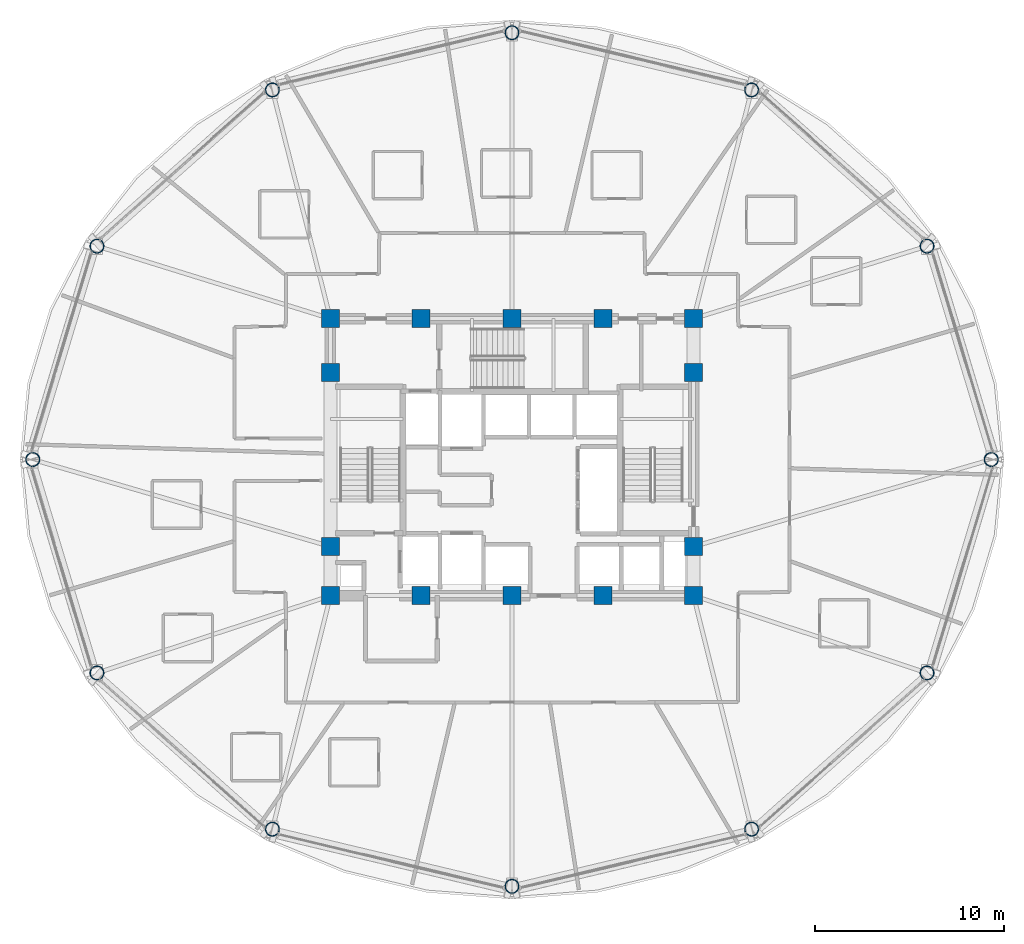
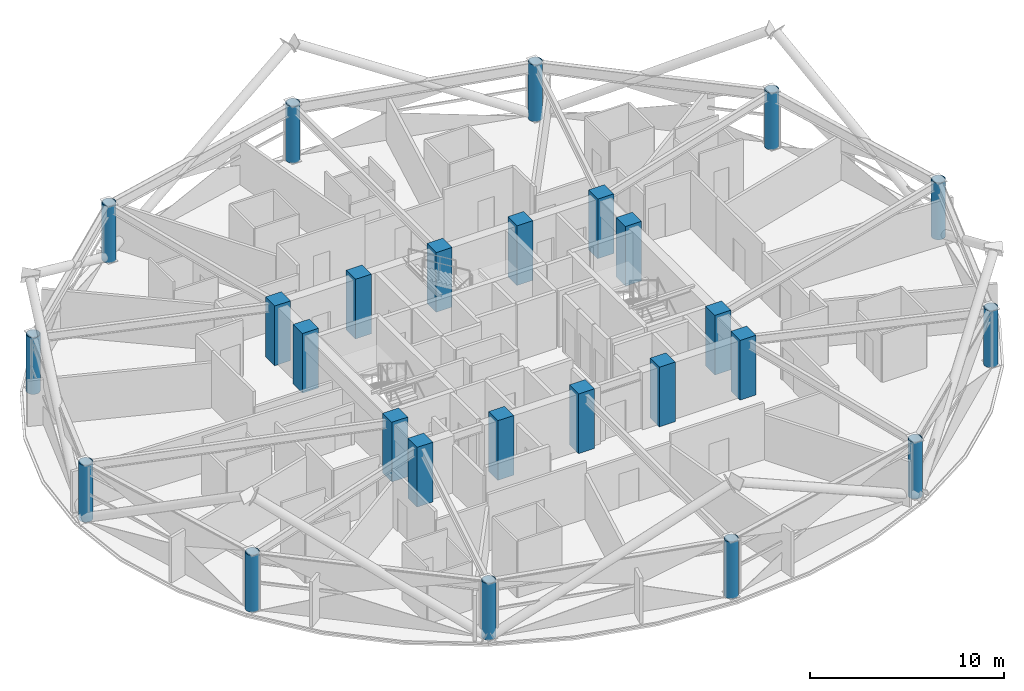
# One storey, part 1 of 30: 26 columns.
"""IFC4 building model written with IfcOpenShell, lengths in metres."""

from ifc_helpers import new_model, si_unit, direction, frame, origin, origin_2d, place, context, subcontext, project, spatial, rectangle, hollow_circle, extrude, material, material_profile, profile_set, type_object, element, save


model = new_model("IFC4")

# Units and contexts
model_context = context("Model", 3, precision=1e-05, world=origin(), true_north=direction((0.0, 1.0)))
body_context = subcontext(model_context, "Body", "Model", "MODEL_VIEW")
ifc_project = project(units=[si_unit("LENGTHUNIT", "METRE"), si_unit("AREAUNIT", "SQUARE_METRE"), si_unit("VOLUMEUNIT", "CUBIC_METRE"), si_unit("PLANEANGLEUNIT", "RADIAN"), si_unit("MASSUNIT", "GRAM", prefix="KILO")], contexts=[model_context])

# Site, building, storey
site_placement = place(None, origin())
site = spatial("IfcSite", under=ifc_project, at=site_placement, CompositionType="ELEMENT")
building_placement = place(site_placement, origin())
building = spatial("IfcBuilding", under=site, at=building_placement, Name="Vantalir Tower", CompositionType="ELEMENT")
storey_placement = place(building_placement, frame((0.0, 0.0, 119.699951171875)))
storey = spatial("IfcBuildingStorey", under=building, at=storey_placement, Name="L29", CompositionType="ELEMENT", Elevation=119.699951171875)

# Columns
ifc_material_1 = material(Name="Concrete C60/75", Category="concrete")
ifc_material_profile_1 = material_profile(ifc_material_1, rectangle(XDim=0.949951171875, YDim=0.949951171875, at=origin_2d()), Name="Concrete C60/75")
ifc_profile_set_1 = profile_set([ifc_material_profile_1], Name="Concrete C60/75")
column_type_1 = type_object("IfcColumnType", Name="COL-CC-950", PredefinedType="COLUMN", material=ifc_profile_set_1)
for number, where, z_axis, x_axis, name in (
    (1, (21.89990234375, 17.800048828125, 0.0), (0.0, 0.0, 1.0), (1.0, 0.0, 0.0), "L29 Core Column CC01"),
    (2, (26.699951171875, 17.800048828125, 0.0), (0.0, 0.0, 1.0), (1.0, 0.0, 0.0), "L29 Core Column CC02"),
    (3, (31.5, 17.800048828125, 0.0), (0.0, 0.0, 1.0), (1.0, 0.0, 0.0), "L29 Core Column CC03"),
    (4, (36.300048828125, 17.800048828125, 0.0), (0.0, 0.0, 1.0), (1.0, 0.0, 0.0), "L29 Core Column CC04"),
    (5, (41.10009765625, 17.800048828125, 0.0), (0.0, 0.0, 1.0), (1.0, 0.0, 0.0), "L29 Core Column CC05"),
    (6, (21.89990234375, 20.39990234375, 0.0), (0.0, 0.0, 1.0), (1.0, 0.0, 0.0), "L29 Core Column CC06"),
    (7, (21.89990234375, 29.60009765625, 0.0), (0.0, 0.0, 1.0), (1.0, 0.0, 0.0), "L29 Core Column CC07"),
    (8, (41.10009765625, 20.39990234375, 0.0), (0.0, 0.0, 1.0), (1.0, 0.0, 0.0), "L29 Core Column CC08"),
    (9, (41.10009765625, 29.60009765625, 0.0), (0.0, 0.0, 1.0), (1.0, 0.0, 0.0), "L29 Core Column CC09"),
    (10, (21.89990234375, 32.449951171875, 0.0), (0.0, 0.0, 1.0), (1.0, 0.0, 0.0), "L29 Core Column CC10"),
    (11, (26.699951171875, 32.449951171875, 0.0), (0.0, 0.0, 1.0), (1.0, 0.0, 0.0), "L29 Core Column CC11"),
    (12, (31.5, 32.449951171875, 0.0), (0.0, 0.0, 1.0), (1.0, 0.0, 0.0), "L29 Core Column CC12"),
    (13, (36.300048828125, 32.449951171875, 0.0), (0.0, 0.0, 1.0), (1.0, 0.0, 0.0), "L29 Core Column CC13"),
    (14, (41.10009765625, 32.449951171875, 0.0), (0.0, 0.0, 1.0), (1.0, 0.0, 0.0), "L29 Core Column CC14"),
):
    element("IfcColumn", number, at=place(storey_placement, frame(where, z_axis=z_axis, x_axis=x_axis)), inside=storey, type_object=column_type_1, Name=name, PredefinedType="COLUMN", context=body_context, shape_type="SweptSolid", body=[
        extrude(rectangle(XDim=0.949951171875, YDim=0.949951171875, at=origin_2d()), origin(), (0.0, 0.0, 1.0), 3.75),
    ])
ifc_material_2 = material(Name="Steel S460", Category="steel")
ifc_material_profile_2 = material_profile(ifc_material_2, hollow_circle(Radius=0.375, WallThickness=0.034912109375, at=origin_2d()), Name="Steel S460")
ifc_profile_set_2 = profile_set([ifc_material_profile_2], Name="Steel S460")
column_type_2 = type_object("IfcColumnType", Name="COL-RC-750", PredefinedType="COLUMN", material=ifc_profile_set_2)
for number, where, z_axis, x_axis, name in (
    (15, (56.840087890625, 25.0, 0.0), (0.0, 0.0, 1.0), (1.0, 0.0, 0.0), "L29 Perimeter Ring Column RC01"),
    (16, (53.445068359375, 36.282958984375, 0.0), (0.0, 0.0, 1.0), (1.0, 0.0, 0.0), "L29 Perimeter Ring Column RC02"),
    (17, (44.169921875, 44.54296875, 0.0), (0.0, 0.0, 1.0), (1.0, 0.0, 0.0), "L29 Perimeter Ring Column RC03"),
    (18, (31.5, 47.56591796875, 0.0), (0.0, 0.0, 1.0), (1.0, 0.0, 0.0), "L29 Perimeter Ring Column RC04"),
    (19, (18.830078125, 44.54296875, 0.0), (0.0, 0.0, 1.0), (1.0, 0.0, 0.0), "L29 Perimeter Ring Column RC05"),
    (20, (9.554931640625, 36.282958984375, 0.0), (0.0, 0.0, 1.0), (1.0, 0.0, 0.0), "L29 Perimeter Ring Column RC06"),
    (21, (6.159912109375, 25.0, 0.0), (0.0, 0.0, 1.0), (1.0, 0.0, 0.0), "L29 Perimeter Ring Column RC07"),
    (22, (9.554931640625, 13.717041015625, 0.0), (0.0, 0.0, 1.0), (1.0, 0.0, 0.0), "L29 Perimeter Ring Column RC08"),
    (23, (18.830078125, 5.45703125, 0.0), (0.0, 0.0, 1.0), (1.0, 0.0, 0.0), "L29 Perimeter Ring Column RC09"),
    (24, (31.5, 2.43408203125, 0.0), (0.0, 0.0, 1.0), (1.0, 0.0, 0.0), "L29 Perimeter Ring Column RC10"),
    (25, (44.169921875, 5.45703125, 0.0), (0.0, 0.0, 1.0), (1.0, 0.0, 0.0), "L29 Perimeter Ring Column RC11"),
    (26, (53.445068359375, 13.717041015625, 0.0), (0.0, 0.0, 1.0), (1.0, 0.0, 0.0), "L29 Perimeter Ring Column RC12"),
):
    element("IfcColumn", number, at=place(storey_placement, frame(where, z_axis=z_axis, x_axis=x_axis)), inside=storey, type_object=column_type_2, Name=name, PredefinedType="COLUMN", context=body_context, shape_type="SweptSolid", body=[
        extrude(hollow_circle(Radius=0.375, WallThickness=0.034912109375, at=origin_2d()), origin(), (0.0, 0.0, 1.0), 3.570068359375),
    ])

save(model, "model.ifc")
